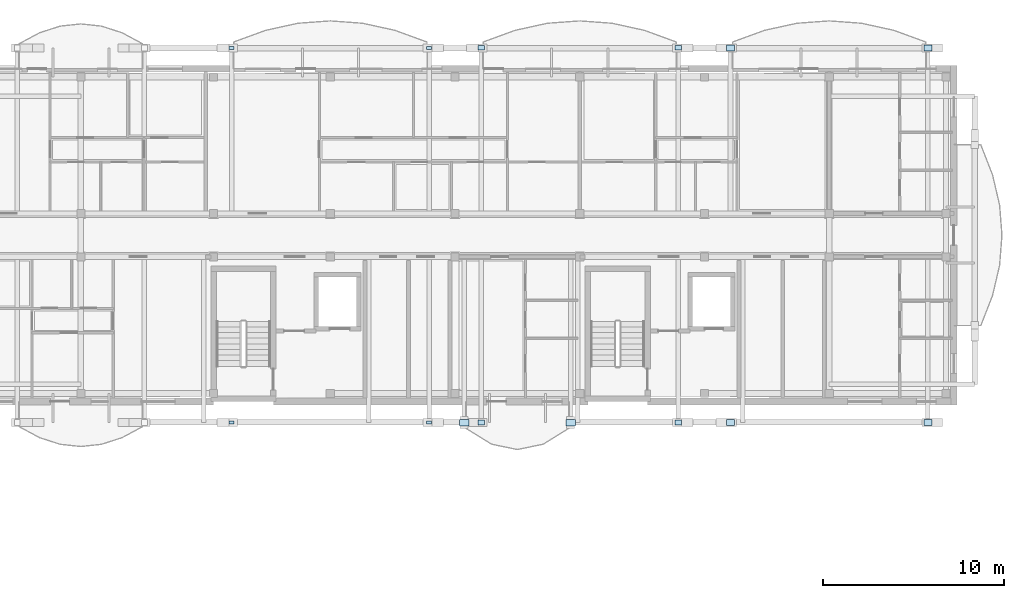
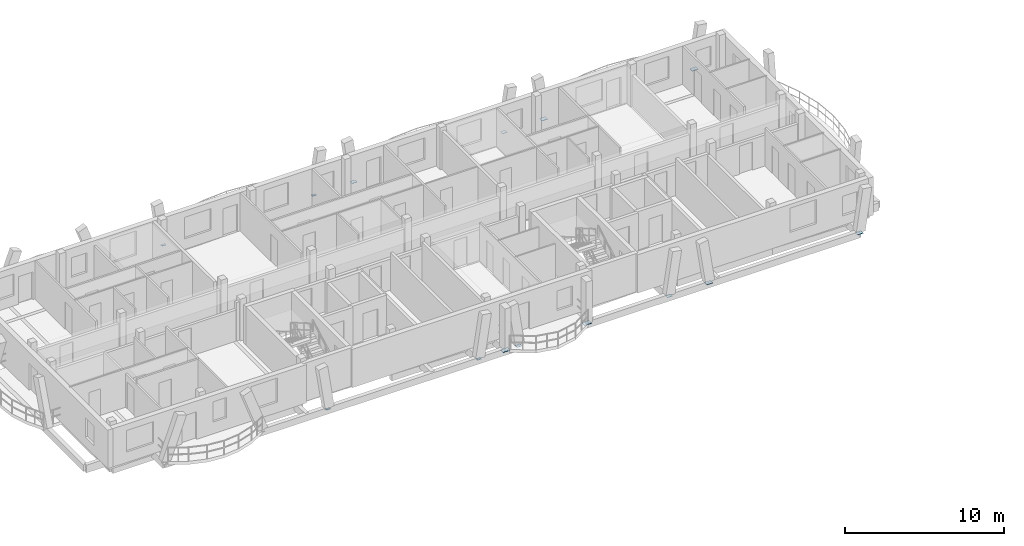
# One storey, part 16 of 52: 14 plates.
"""IFC4 building model written with IfcOpenShell, lengths in metres."""

from ifc_helpers import new_model, si_unit, direction, frame, origin, origin_2d, place, context, subcontext, project, spatial, rectangle, extrude, material, layer, layer_set, type_object, element, save


model = new_model("IFC4")

# Units and contexts
model_context = context("Model", 3, precision=1e-05, world=origin(), true_north=direction((0.0, 1.0)))
body_context = subcontext(model_context, "Body", "Model", "MODEL_VIEW")
ifc_project = project(units=[si_unit("LENGTHUNIT", "METRE"), si_unit("AREAUNIT", "SQUARE_METRE"), si_unit("VOLUMEUNIT", "CUBIC_METRE"), si_unit("PLANEANGLEUNIT", "RADIAN"), si_unit("MASSUNIT", "GRAM", prefix="KILO")], contexts=[model_context])

# Site, building, storey
site_placement = place(None, origin())
site = spatial("IfcSite", under=ifc_project, at=site_placement, CompositionType="ELEMENT")
building_placement = place(site_placement, origin())
building = spatial("IfcBuilding", under=site, at=building_placement, Name="Zavelmont Quarter", CompositionType="ELEMENT")
storey_placement = place(building_placement, frame((0.0, 0.0, 14.39990234375)))
storey = spatial("IfcBuildingStorey", under=building, at=storey_placement, Name="L04", CompositionType="ELEMENT", Elevation=14.39990234375)

# Plates
ifc_material = material(Name="Steel S355", Category="steel")
ifc_layer_1 = layer(ifc_material, 0.02001953125)
ifc_layer_set_1 = layer_set([ifc_layer_1], Name="Steel S355")
plate_type_1 = type_object("IfcPlateType", Name="NP01", PredefinedType="SHEET", material=ifc_layer_set_1)
for number, where, z_axis, x_axis, name in (
    (1, (128.0390625, 117.162109375, -0.2099609375), (0.0, 0.0, 1.0), (1.0, 0.0, 0.0), "L04 steel connection plate NP01 at 19/S"),
    (2, (138.9609375, 117.162109375, -0.2099609375), (0.0, 0.0, 1.0), (1.0, 0.0, 0.0), "L04 steel connection plate NP01 at 21/S"),
    (3, (128.0390625, 96.43798828125, -0.2099609375), (0.0, 0.0, 1.0), (1.0, 0.0, 0.0), "L04 steel connection plate NP01 at 19/P"),
    (4, (138.9609375, 96.43798828125, -0.2099609375), (0.0, 0.0, 1.0), (1.0, 0.0, 0.0), "L04 steel connection plate NP01 at 21/P"),
):
    element("IfcPlate", number, at=place(storey_placement, frame(where, z_axis=z_axis, x_axis=x_axis)), inside=storey, type_object=plate_type_1, Name=name, PredefinedType="SHEET", context=body_context, shape_type="SweptSolid", body=[
        extrude(rectangle(XDim=0.280029296875, YDim=0.179931640625, at=origin_2d()), origin(), (0.0, 0.0, 1.0), 0.02001953125),
    ])
ifc_layer_2 = layer(ifc_material, 0.02392578125)
ifc_layer_set_2 = layer_set([ifc_layer_2], Name="Steel S355")
plate_type_2 = type_object("IfcPlateType", Name="NP02", PredefinedType="SHEET", material=ifc_layer_set_2)
for number, where, z_axis, x_axis, name in (
    (5, (141.839111328125, 117.162109375, -0.2119140625), (0.0, 0.0, 1.0), (1.0, 0.0, 0.0), "L04 steel connection plate NP02 at 21/S"),
    (6, (152.760986328125, 117.162109375, -0.2119140625), (0.0, 0.0, 1.0), (1.0, 0.0, 0.0), "L04 steel connection plate NP02 at 23/S"),
    (7, (141.839111328125, 96.43798828125, -0.2119140625), (0.0, 0.0, 1.0), (1.0, 0.0, 0.0), "L04 steel connection plate NP02 at 21/P"),
    (8, (152.760986328125, 96.43798828125, -0.2119140625), (0.0, 0.0, 1.0), (1.0, 0.0, 0.0), "L04 steel connection plate NP02 at 23/P"),
):
    element("IfcPlate", number, at=place(storey_placement, frame(where, z_axis=z_axis, x_axis=x_axis)), inside=storey, type_object=plate_type_2, Name=name, PredefinedType="SHEET", context=body_context, shape_type="SweptSolid", body=[
        extrude(rectangle(XDim=0.360107421875, YDim=0.260009765625, at=origin_2d()), origin(), (0.0, 0.0, 1.0), 0.02392578125),
    ])
ifc_layer_3 = layer(ifc_material, 0.02490234375)
ifc_layer_set_3 = layer_set([ifc_layer_3], Name="Steel S355")
plate_type_3 = type_object("IfcPlateType", Name="NP03", PredefinedType="SHEET", material=ifc_layer_set_3)
for number, where, z_axis, x_axis, name in (
    (9, (155.638916015625, 117.162109375, -0.21240234375), (0.0, 0.0, 1.0), (1.0, 0.0, 0.0), "L04 steel connection plate NP03 at 23/S"),
    (10, (166.56103515625, 117.162109375, -0.21240234375), (0.0, 0.0, 1.0), (1.0, 0.0, 0.0), "L04 steel connection plate NP03 at 25/S"),
    (11, (155.638916015625, 96.43798828125, -0.21240234375), (0.0, 0.0, 1.0), (1.0, 0.0, 0.0), "L04 steel connection plate NP03 at 23/P"),
    (12, (166.56103515625, 96.43798828125, -0.21240234375), (0.0, 0.0, 1.0), (1.0, 0.0, 0.0), "L04 steel connection plate NP03 at 25/P"),
):
    element("IfcPlate", number, at=place(storey_placement, frame(where, z_axis=z_axis, x_axis=x_axis)), inside=storey, type_object=plate_type_3, Name=name, PredefinedType="SHEET", context=body_context, shape_type="SweptSolid", body=[
        extrude(rectangle(XDim=0.43994140625, YDim=0.320068359375, at=origin_2d()), origin(), (0.0, 0.0, 1.0), 0.02490234375),
    ])
ifc_layer_4 = layer(ifc_material, 0.028076171875)
ifc_layer_set_4 = layer_set([ifc_layer_4], Name="Steel S355")
plate_type_4 = type_object("IfcPlateType", Name="NP04", PredefinedType="SHEET", material=ifc_layer_set_4)
for number, where, z_axis, x_axis, name in (
    (13, (140.89990234375, 96.43798828125, -0.2138671875), (0.0, 0.0, 1.0), (1.0, 0.0, 0.0), "L04 steel connection plate NP04 at 21/P"),
    (14, (146.800048828125, 96.43798828125, -0.2138671875), (0.0, 0.0, 1.0), (1.0, 0.0, 0.0), "L04 steel connection plate NP04 at 22/P"),
):
    element("IfcPlate", number, at=place(storey_placement, frame(where, z_axis=z_axis, x_axis=x_axis)), inside=storey, type_object=plate_type_4, Name=name, PredefinedType="SHEET", context=body_context, shape_type="SweptSolid", body=[
        extrude(rectangle(XDim=0.52001953125, YDim=0.360107421875, at=origin_2d()), origin(), (0.0, 0.0, 1.0), 0.028076171875),
    ])

save(model, "model.ifc")
